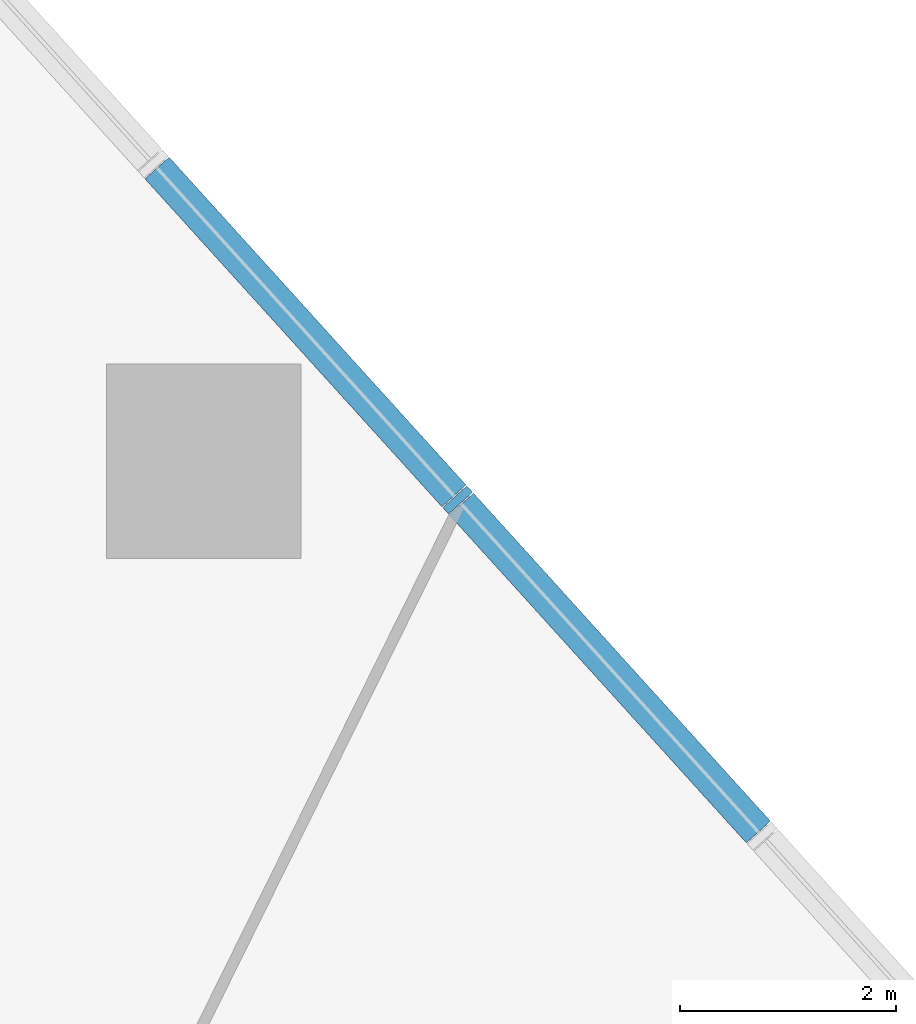
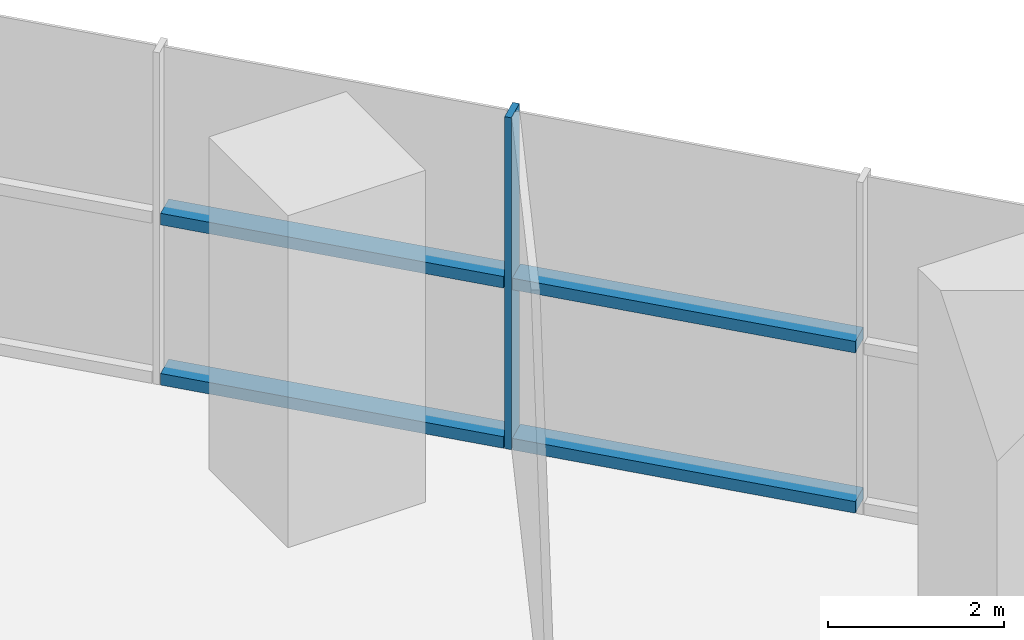
# One storey, part 5 of 15: 5 members, 1 element without a shape of its own.
"""IFC4 building model written with IfcOpenShell, lengths in metres."""

from ifc_helpers import new_model, si_unit, direction, frame, origin, origin_2d, place, context, subcontext, project, spatial, rectangle, extrude, material, layer, layer_set, material_profile, profile_set, type_object, element, aggregate, save


model = new_model("IFC4")

# Units and contexts
model_context = context("Model", 3, precision=1e-05, world=origin(), true_north=direction((0.0, 1.0)))
body_context = subcontext(model_context, "Body", "Model", "MODEL_VIEW")
ifc_project = project(units=[si_unit("LENGTHUNIT", "METRE"), si_unit("AREAUNIT", "SQUARE_METRE"), si_unit("VOLUMEUNIT", "CUBIC_METRE"), si_unit("PLANEANGLEUNIT", "RADIAN"), si_unit("MASSUNIT", "GRAM", prefix="KILO")], contexts=[model_context])

# Site, building, storey
site_placement = place(None, origin())
site = spatial("IfcSite", under=ifc_project, at=site_placement, CompositionType="ELEMENT")
building_placement = place(site_placement, origin())
building = spatial("IfcBuilding", under=site, at=building_placement, Name="Dongbaek Canopy Tower", CompositionType="ELEMENT")
storey_placement = place(building_placement, frame((0.0, 0.0, 33.0)))
storey = spatial("IfcBuildingStorey", under=building, at=storey_placement, Name="L04", CompositionType="ELEMENT", Elevation=33.0)

# Curtain wall, members
ifc_material_1 = material(Name="Aluminium 6063-T6 pale anodised", Category="aluminium")
ifc_layer = layer(ifc_material_1, 0.300048828125)
ifc_layer_set = layer_set([ifc_layer], Name="CW-2 podium hall curtain wall")
curtain_wall_type = type_object("IfcCurtainWallType", Name="CW-2 podium hall curtain wall", PredefinedType="NOTDEFINED", material=ifc_layer_set)
curtain_wall_placement = place(storey_placement, origin())
curtain_wall = element("IfcCurtainWall", 1, at=curtain_wall_placement, inside=storey, type_object=curtain_wall_type, Name="CW-2 curtain wall F0.1", PredefinedType="NOTDEFINED")
ifc_material_2 = material(Name="Aluminium 6063-T6 pale anodised", Category="aluminium")
ifc_material_profile_1 = material_profile(ifc_material_2, rectangle(XDim=0.300048828125, YDim=0.080078125, at=origin_2d()), Name="CW-2 mullion 80 x 300")
ifc_profile_set_1 = profile_set([ifc_material_profile_1], Name="Aluminium 6063-T6 pale anodised")
member_type_1 = type_object("IfcMemberType", Name="CW-2 mullion 80 x 300", PredefinedType="MULLION", material=ifc_profile_set_1)
member_1_placement = place(storey_placement, frame((23.153564453125, 26.938232421875, 0.0), z_axis=(0.0, 0.0, 1.0), x_axis=(0.741222236547, 0.671259708345, 0.0)))
member_1 = element("IfcMember", 2, at=member_1_placement, type_object=member_type_1, Name="CW-2 mullion F0.1.6", PredefinedType="MULLION", context=body_context, shape_type="SweptSolid", body=[
    extrude(rectangle(XDim=0.300048828125, YDim=0.080078125, at=origin_2d()), origin(), (0.0, 0.0, 1.0), 4.60009765625),
])
ifc_material_3 = material(Name="Aluminium 6063-T6 pale anodised", Category="aluminium")
ifc_material_profile_2 = material_profile(ifc_material_3, rectangle(XDim=0.300048828125, YDim=0.159912109375, at=origin_2d()), Name="CW-2 transom 160 x 300")
ifc_profile_set_2 = profile_set([ifc_material_profile_2], Name="Aluminium 6063-T6 pale anodised")
member_type_2 = type_object("IfcMemberType", Name="CW-2 transom 160 x 300", PredefinedType="USERDEFINED", material=ifc_profile_set_2)
member_2_placement = place(storey_placement, frame((25.9345703125, 23.8671875, 0.080078125), z_axis=(-0.671239841945, 0.741240227312, 0.0), x_axis=(-0.741240227312, -0.671239841945, 0.0)))
member_2 = element("IfcMember", 3, at=member_2_placement, type_object=member_type_2, Name="CW-2 transom F0.1.5.1", ObjectType="TRANSOM", PredefinedType="USERDEFINED", context=body_context, shape_type="SweptSolid", body=[
    extrude(rectangle(XDim=0.300048828125, YDim=0.159912109375, at=origin_2d()), origin(), (0.0, 0.0, 1.0), 4.091064453125),
])
member_3_placement = place(storey_placement, frame((25.9345703125, 23.8671875, 2.300048828125), z_axis=(-0.671239841945, 0.741240227312, 0.0), x_axis=(-0.741240227312, -0.671239841945, 0.0)))
member_3 = element("IfcMember", 4, at=member_3_placement, type_object=member_type_2, Name="CW-2 transom F0.1.5.2", ObjectType="TRANSOM", PredefinedType="USERDEFINED", context=body_context, shape_type="SweptSolid", body=[
    extrude(rectangle(XDim=0.300048828125, YDim=0.159912109375, at=origin_2d()), origin(), (0.0, 0.0, 1.0), 4.091064453125),
])
member_4_placement = place(storey_placement, frame((23.11865234375, 26.9765625, 0.080078125), z_axis=(-0.671272628387, 0.741210535798, 0.0), x_axis=(-0.741210535798, -0.671272628387, 0.0)))
member_4 = element("IfcMember", 5, at=member_4_placement, type_object=member_type_2, Name="CW-2 transom F0.1.6.1", ObjectType="TRANSOM", PredefinedType="USERDEFINED", context=body_context, shape_type="SweptSolid", body=[
    extrude(rectangle(XDim=0.300048828125, YDim=0.159912109375, at=origin_2d()), origin(), (0.0, 0.0, 1.0), 4.09130859375),
])
member_5_placement = place(storey_placement, frame((23.11865234375, 26.9765625, 2.300048828125), z_axis=(-0.671272628387, 0.741210535798, 0.0), x_axis=(-0.741210535798, -0.671272628387, 0.0)))
member_5 = element("IfcMember", 6, at=member_5_placement, type_object=member_type_2, Name="CW-2 transom F0.1.6.2", ObjectType="TRANSOM", PredefinedType="USERDEFINED", context=body_context, shape_type="SweptSolid", body=[
    extrude(rectangle(XDim=0.300048828125, YDim=0.159912109375, at=origin_2d()), origin(), (0.0, 0.0, 1.0), 4.09130859375),
])
aggregate(curtain_wall, [member_1, member_2, member_3, member_4, member_5])

save(model, "model.ifc")
